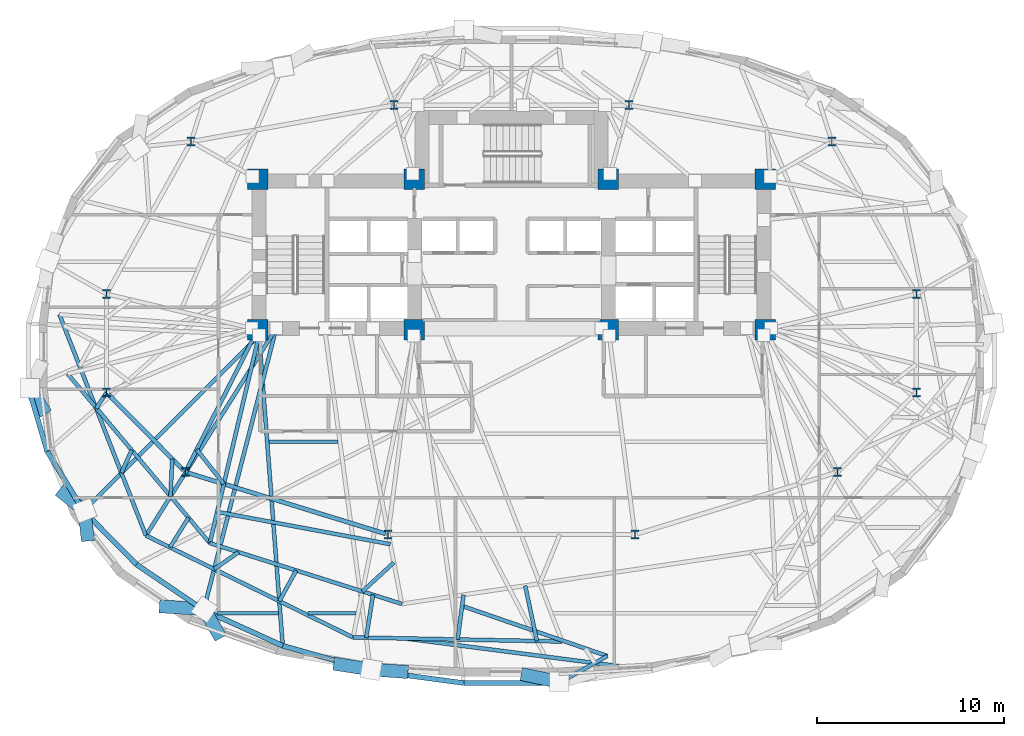
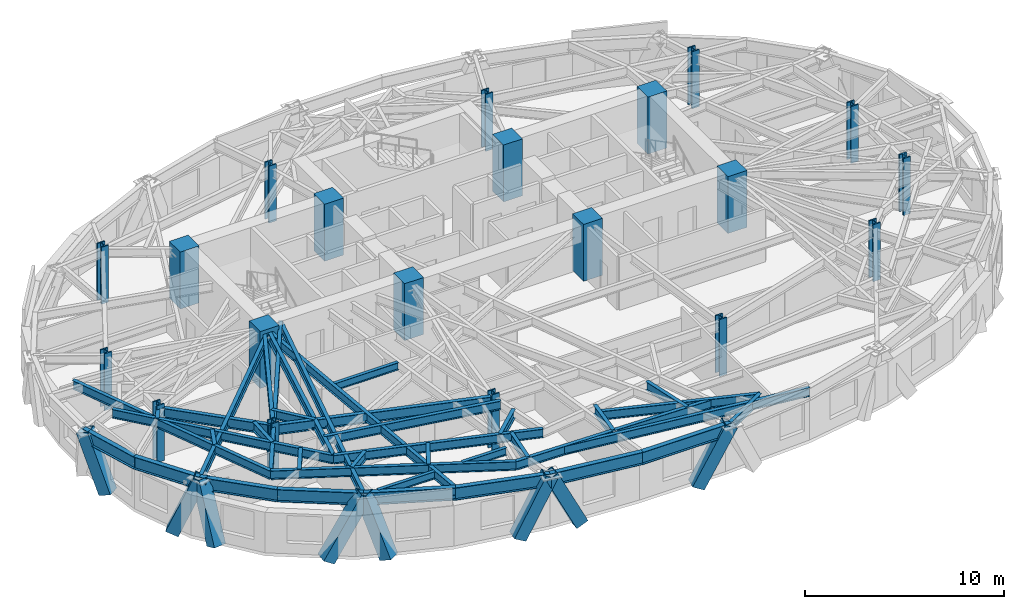
# One storey, part 1 of 13: 39 beams, 20 columns, 8 members.
"""IFC4 building model written with IfcOpenShell, lengths in metres."""

from ifc_helpers import new_model, si_unit, direction, frame, origin, origin_2d, place, context, subcontext, project, spatial, rectangle, hollow_rectangle, i_section, extrude, material, material_profile, profile_set, type_object, element, save


model = new_model("IFC4")

# Units and contexts
model_context = context("Model", 3, precision=1e-05, world=origin(), true_north=direction((0.0, 1.0)))
body_context = subcontext(model_context, "Body", "Model", "MODEL_VIEW")
ifc_project = project(units=[si_unit("LENGTHUNIT", "METRE"), si_unit("AREAUNIT", "SQUARE_METRE"), si_unit("VOLUMEUNIT", "CUBIC_METRE"), si_unit("PLANEANGLEUNIT", "RADIAN"), si_unit("MASSUNIT", "GRAM", prefix="KILO")], contexts=[model_context])

# Site, building, storey
site_placement = place(None, origin())
site = spatial("IfcSite", under=ifc_project, at=site_placement, CompositionType="ELEMENT")
building_placement = place(site_placement, origin())
building = spatial("IfcBuilding", under=site, at=building_placement, Name="Keldmark Tower", CompositionType="ELEMENT")
storey_placement = place(building_placement, frame((0.0, 0.0, 131.60009765625)))
storey = spatial("IfcBuildingStorey", under=building, at=storey_placement, Name="L35", CompositionType="ELEMENT", Elevation=131.60009765625)

# Columns
ifc_material_1 = material(Name="Concrete C70/85", Category="concrete")
ifc_material_profile_1 = material_profile(ifc_material_1, rectangle(XDim=1.10009765625, YDim=1.10009765625, at=origin_2d()), Name="RC1100X1100")
ifc_profile_set_1 = profile_set([ifc_material_profile_1], Name="Concrete C70/85")
column_type_1 = type_object("IfcColumnType", Name="Core Boundary Column RC1100", PredefinedType="COLUMN", material=ifc_profile_set_1)
for number, where, z_axis, x_axis, name in (
    (1, (-13.60009765625, 1.39990234375, 0.0), (0.0, 0.0, 1.0), (1.0, 0.0, 0.0), "L35 Core Boundary Column CC-W1"),
    (2, (-13.60009765625, 9.449951171875, 0.0), (0.0, 0.0, 1.0), (1.0, 0.0, 0.0), "L35 Core Boundary Column CC-W2"),
    (3, (-5.199951171875, 1.39990234375, 0.0), (0.0, 0.0, 1.0), (1.0, 0.0, 0.0), "L35 Core Boundary Column CC-W3"),
    (4, (-5.199951171875, 9.449951171875, 0.0), (0.0, 0.0, 1.0), (1.0, 0.0, 0.0), "L35 Core Boundary Column CC-W4"),
    (5, (5.199951171875, 1.39990234375, 0.0), (0.0, 0.0, 1.0), (1.0, 0.0, 0.0), "L35 Core Boundary Column CC-E1"),
    (6, (5.199951171875, 9.449951171875, 0.0), (0.0, 0.0, 1.0), (1.0, 0.0, 0.0), "L35 Core Boundary Column CC-E2"),
    (7, (13.60009765625, 1.39990234375, 0.0), (0.0, 0.0, 1.0), (1.0, 0.0, 0.0), "L35 Core Boundary Column CC-E3"),
    (8, (13.60009765625, 9.449951171875, 0.0), (0.0, 0.0, 1.0), (1.0, 0.0, 0.0), "L35 Core Boundary Column CC-E4"),
):
    element("IfcColumn", number, at=place(storey_placement, frame(where, z_axis=z_axis, x_axis=x_axis)), inside=storey, type_object=column_type_1, Name=name, PredefinedType="COLUMN", context=body_context, shape_type="SweptSolid", body=[
        extrude(rectangle(XDim=1.10009765625, YDim=1.10009765625, at=origin_2d()), origin(), (0.0, 0.0, 1.0), 3.5),
    ])
ifc_material_2 = material(Name="Steel ASTM A992 Grade 50", Category="steel")
ifc_material_profile_2 = material_profile(ifc_material_2, i_section(OverallWidth=0.424072265625, OverallDepth=0.47412109375, WebThickness=0.047607421875, FlangeThickness=0.0771484375, at=origin_2d()), Name="W14X426")
ifc_profile_set_2 = profile_set([ifc_material_profile_2], Name="Steel ASTM A992 Grade 50")
column_type_2 = type_object("IfcColumnType", Name="Tower Gravity Column W14X426", PredefinedType="COLUMN", material=ifc_profile_set_2)
for number, where, z_axis, x_axis, name in (
    (9, (21.697021484375, 3.309814453125, 0.0), (0.0, 0.0, 1.0), (1.0, 0.0, 0.0), "L35 Tower Gravity Column TC-E1"),
    (10, (17.1669921875, 11.478271484375, 0.0), (0.0, 0.0, 1.0), (1.0, 0.0, 0.0), "L35 Tower Gravity Column TC-E4"),
    (11, (6.298828125, 13.4326171875, 0.0), (0.0, 0.0, 1.0), (1.0, 0.0, 0.0), "L35 Tower Gravity Column TC-N2"),
    (12, (-6.298828125, 13.4326171875, 0.0), (0.0, 0.0, 1.0), (1.0, 0.0, 0.0), "L35 Tower Gravity Column TC-N1"),
    (13, (-17.1669921875, 11.478271484375, 0.0), (0.0, 0.0, 1.0), (1.0, 0.0, 0.0), "L35 Tower Gravity Column TC-W4"),
    (14, (-21.697021484375, 3.309814453125, 0.0), (0.0, 0.0, 1.0), (1.0, 0.0, 0.0), "L35 Tower Gravity Column TC-W1"),
    (15, (-21.697021484375, -1.9658203125, 0.0), (0.0, 0.0, 1.0), (1.0, 0.0, 0.0), "L35 Tower Gravity Column TC-W5"),
    (16, (-17.477294921875, -6.2294921875, 0.0), (0.0, 0.0, 1.0), (1.0, 0.0, 0.0), "L35 Tower Gravity Column TC-W2"),
    (17, (-6.61279296875, -9.579345703125, 0.0), (0.0, 0.0, 1.0), (1.0, 0.0, 0.0), "L35 Tower Gravity Column TC-W3"),
    (18, (6.61279296875, -9.579345703125, 0.0), (0.0, 0.0, 1.0), (1.0, 0.0, 0.0), "L35 Tower Gravity Column TC-E3"),
    (19, (17.477294921875, -6.2294921875, 0.0), (0.0, 0.0, 1.0), (1.0, 0.0, 0.0), "L35 Tower Gravity Column TC-E2"),
    (20, (21.697021484375, -1.9658203125, 0.0), (0.0, 0.0, 1.0), (1.0, 0.0, 0.0), "L35 Tower Gravity Column TC-E5"),
):
    element("IfcColumn", number, at=place(storey_placement, frame(where, z_axis=z_axis, x_axis=x_axis)), inside=storey, type_object=column_type_2, Name=name, PredefinedType="COLUMN", context=body_context, shape_type="SweptSolid", body=[
        extrude(i_section(OverallWidth=0.424072265625, OverallDepth=0.47412109375, WebThickness=0.047607421875, FlangeThickness=0.0771484375, at=origin_2d()), origin(), (0.0, 0.0, 1.0), 3.5),
    ])

# Beams
ifc_material_3 = material(Name="Steel ASTM A992 Grade 50", Category="steel")
ifc_material_profile_3 = material_profile(ifc_material_3, i_section(OverallWidth=0.19091796875, OverallDepth=0.45703125, WebThickness=0.009033203125, FlangeThickness=0.014404296875, at=origin_2d()), Name="W18X50")
ifc_profile_set_3 = profile_set([ifc_material_profile_3], Name="Steel ASTM A992 Grade 50")
beam_type_1 = type_object("IfcBeamType", Name="Composite Floor Joist W18X50", PredefinedType="JOIST", material=ifc_profile_set_3)
beam_1_placement = place(storey_placement, frame((-15.78759765625, -13.800048828125, 3.031494140625), z_axis=(1.0, 0.0, 0.0), x_axis=(0.0, 1.0, 0.0)))
element("IfcBeam", 21, at=beam_1_placement, inside=storey, type_object=beam_type_1, Name="L35 Composite Floor Joist J01", PredefinedType="JOIST", context=body_context, shape_type="SweptSolid", body=[
    extrude(i_section(OverallWidth=0.19091796875, OverallDepth=0.45703125, WebThickness=0.009033203125, FlangeThickness=0.014404296875, at=origin_2d()), origin(), (0.0, 0.0, 1.0), 3.302490234375),
])
beam_2_placement = place(storey_placement, frame((-10.888916015625, -13.800048828125, 3.031494140625), z_axis=(1.0, 0.0, 0.0), x_axis=(0.0, 1.0, 0.0)))
element("IfcBeam", 22, at=beam_2_placement, inside=storey, type_object=beam_type_1, Name="L35 Composite Floor Joist J02", PredefinedType="JOIST", context=body_context, shape_type="SweptSolid", body=[
    extrude(i_section(OverallWidth=0.19091796875, OverallDepth=0.45703125, WebThickness=0.009033203125, FlangeThickness=0.014404296875, at=origin_2d()), origin(), (0.0, 0.0, 1.0), 2.565185546875),
])
beam_3_placement = place(storey_placement, frame((-12.994140625, -4.60009765625, 3.031494140625), z_axis=(1.0, 0.0, 0.0), x_axis=(0.0, 1.0, 0.0)))
element("IfcBeam", 23, at=beam_3_placement, inside=storey, type_object=beam_type_1, Name="L35 Composite Floor Joist J06", PredefinedType="JOIST", context=body_context, shape_type="SweptSolid", body=[
    extrude(i_section(OverallWidth=0.19091796875, OverallDepth=0.45703125, WebThickness=0.009033203125, FlangeThickness=0.014404296875, at=origin_2d()), origin(), (0.0, 0.0, 1.0), 3.70263671875),
])

# Members
ifc_material_4 = material(Name="Steel ASTM A572 Grade 50", Category="steel")
ifc_material_profile_4 = material_profile(ifc_material_4, hollow_rectangle(XDim=0.699951171875, YDim=0.699951171875, WallThickness=0.044921875, at=origin_2d()), Name="BOX700X700X45")
ifc_profile_set_4 = profile_set([ifc_material_profile_4], Name="Steel ASTM A572 Grade 50")
member_type = type_object("IfcMemberType", Name="Diagrid Zone 2 Brace BOX700X700X45", PredefinedType="BRACE", material=ifc_profile_set_4)
member_1_placement = place(storey_placement, frame((-25.12890625, -2.82958984375, -0.27001953125), z_axis=(-0.187989788576, 0.303619224523, 0.934063812537), x_axis=(-0.850221241933, -0.526425531073, 0.0)))
element("IfcMember", 24, at=member_1_placement, inside=storey, type_object=member_type, Name="L35 Perimeter Diagrid Brace 09A", PredefinedType="BRACE", context=body_context, shape_type="SweptSolid", body=[
    extrude(hollow_rectangle(XDim=0.699951171875, YDim=0.699951171875, WallThickness=0.044921875, at=origin_2d()), origin(), (0.0, 0.0, 1.0), 3.650634765625),
])
member_2_placement = place(storey_placement, frame((-23.985107421875, -7.39453125, -0.27001953125), z_axis=(0.300968444386, -0.241857898473, 0.922454742755), x_axis=(0.626404100601, 0.779498494386, 0.0)))
element("IfcMember", 25, at=member_2_placement, inside=storey, type_object=member_type, Name="L35 Perimeter Diagrid Brace 09B", PredefinedType="BRACE", context=body_context, shape_type="SweptSolid", body=[
    extrude(hollow_rectangle(XDim=0.699951171875, YDim=0.699951171875, WallThickness=0.044921875, at=origin_2d()), origin(), (0.0, 0.0, 1.0), 3.696533203125),
])
member_3_placement = place(storey_placement, frame((-22.7333984375, -9.59716796875, -0.27001953125), z_axis=(-0.039298289624, 0.360623523632, 0.931883210835), x_axis=(-0.994114788061, -0.108331842769, 0.0)))
element("IfcMember", 26, at=member_3_placement, inside=storey, type_object=member_type, Name="L35 Perimeter Diagrid Brace 10A", PredefinedType="BRACE", context=body_context, shape_type="SweptSolid", body=[
    extrude(hollow_rectangle(XDim=0.699951171875, YDim=0.699951171875, WallThickness=0.044921875, at=origin_2d()), origin(), (0.0, 0.0, 1.0), 3.6591796875),
])
member_4_placement = place(storey_placement, frame((-18.5673828125, -13.439697265625, -0.27001953125), z_axis=(0.527593267763, -0.035488881407, 0.848755490767), x_axis=(0.067113944412, 0.997745317436, 0.0)))
element("IfcMember", 27, at=member_4_placement, inside=storey, type_object=member_type, Name="L35 Perimeter Diagrid Brace 10B", PredefinedType="BRACE", context=body_context, shape_type="SweptSolid", body=[
    extrude(hollow_rectangle(XDim=0.699951171875, YDim=0.699951171875, WallThickness=0.044921875, at=origin_2d()), origin(), (0.0, 0.0, 1.0), 4.017578125),
])
member_5_placement = place(storey_placement, frame((-15.735107421875, -14.845703125, -0.27001953125), z_axis=(-0.194322168665, 0.342778251466, 0.919098452336), x_axis=(-0.86993382308, -0.49316847371, 0.0)))
element("IfcMember", 28, at=member_5_placement, inside=storey, type_object=member_type, Name="L35 Perimeter Diagrid Brace 11A", PredefinedType="BRACE", context=body_context, shape_type="SweptSolid", body=[
    extrude(hollow_rectangle(XDim=0.699951171875, YDim=0.699951171875, WallThickness=0.044921875, at=origin_2d()), origin(), (0.0, 0.0, 1.0), 3.7099609375),
])
member_6_placement = place(storey_placement, frame((-9.215576171875, -16.54248046875, -0.27001953125), z_axis=(0.444362137961, -0.069637410885, 0.893136563663), x_axis=(0.154823569596, 0.987942135096, 0.0)))
element("IfcMember", 29, at=member_6_placement, inside=storey, type_object=member_type, Name="L35 Perimeter Diagrid Brace 11B", PredefinedType="BRACE", context=body_context, shape_type="SweptSolid", body=[
    extrude(hollow_rectangle(XDim=0.699951171875, YDim=0.699951171875, WallThickness=0.044921875, at=origin_2d()), origin(), (0.0, 0.0, 1.0), 3.81787109375),
])
member_7_placement = place(storey_placement, frame((-5.8515625, -16.926513671875, -0.27001953125), z_axis=(-0.441399698439, 0.032230203435, 0.896731576451), x_axis=(-0.072824302874, -0.997344785373, 0.0)))
element("IfcMember", 30, at=member_7_placement, inside=storey, type_object=member_type, Name="L35 Perimeter Diagrid Brace 12A", PredefinedType="BRACE", context=body_context, shape_type="SweptSolid", body=[
    extrude(hollow_rectangle(XDim=0.699951171875, YDim=0.699951171875, WallThickness=0.044921875, at=origin_2d()), origin(), (0.0, 0.0, 1.0), 3.802490234375),
])
member_8_placement = place(storey_placement, frame((0.83740234375, -17.113525390625, -0.27001953125), z_axis=(0.447684367224, -0.09441352625, 0.889193338597), x_axis=(0.206354089794, 0.978477383298, 0.0)))
element("IfcMember", 31, at=member_8_placement, inside=storey, type_object=member_type, Name="L35 Perimeter Diagrid Brace 12B", PredefinedType="BRACE", context=body_context, shape_type="SweptSolid", body=[
    extrude(hollow_rectangle(XDim=0.699951171875, YDim=0.699951171875, WallThickness=0.044921875, at=origin_2d()), origin(), (0.0, 0.0, 1.0), 3.834716796875),
])

# Beams
ifc_material_5 = material(Name="Steel ASTM A992 Grade 50", Category="steel")
ifc_material_profile_5 = material_profile(ifc_material_5, i_section(OverallWidth=0.22900390625, OverallDepth=0.612060546875, WebThickness=0.011962890625, FlangeThickness=0.01953125, at=origin_2d()), Name="W24X84")
ifc_profile_set_5 = profile_set([ifc_material_profile_5], Name="Steel ASTM A992 Grade 50")
beam_type_2 = type_object("IfcBeamType", Name="Primary Floor Girder W24X84", PredefinedType="BEAM", material=ifc_profile_set_5)
beam_4_placement = place(storey_placement, frame((-21.598388671875, -2.0654296875, 2.953857421875), z_axis=(0.703425791323, -0.71076870788, 0.0), x_axis=(0.71076870788, 0.703425791323, 0.0)))
element("IfcBeam", 32, at=beam_4_placement, inside=storey, type_object=beam_type_2, Name="L35 Floor Ring Girder FG-R07", PredefinedType="BEAM", context=body_context, shape_type="SweptSolid", body=[
    extrude(i_section(OverallWidth=0.22900390625, OverallDepth=0.612060546875, WebThickness=0.011962890625, FlangeThickness=0.01953125, at=origin_2d()), origin(), (0.0, 0.0, 1.0), 5.71875),
])
beam_5_placement = place(storey_placement, frame((-17.343505859375, -6.270751953125, 2.953857421875), z_axis=(0.955607954968, -0.294641199432, 0.0), x_axis=(0.294641199432, 0.955607954968, 0.0)))
element("IfcBeam", 33, at=beam_5_placement, inside=storey, type_object=beam_type_2, Name="L35 Floor Ring Girder FG-R08", PredefinedType="BEAM", context=body_context, shape_type="SweptSolid", body=[
    extrude(i_section(OverallWidth=0.22900390625, OverallDepth=0.612060546875, WebThickness=0.011962890625, FlangeThickness=0.01953125, at=origin_2d()), origin(), (0.0, 0.0, 1.0), 11.089111328125),
])
ifc_material_6 = material(Name="Steel ASTM A992 Grade 50", Category="steel")
ifc_material_profile_6 = material_profile(ifc_material_6, i_section(OverallWidth=0.2099609375, OverallDepth=0.537109375, WebThickness=0.010986328125, FlangeThickness=0.017333984375, at=origin_2d()), Name="W21X68")
ifc_profile_set_6 = profile_set([ifc_material_profile_6], Name="Steel ASTM A992 Grade 50")
beam_type_3 = type_object("IfcBeamType", Name="Radial Tie Girder W21X68", PredefinedType="BEAM", material=ifc_profile_set_6)
beam_6_placement = place(storey_placement, frame((-17.413818359375, -6.104736328125, 2.991455078125), z_axis=(0.453028637759, 0.891495963743, 0.0), x_axis=(-0.891495963743, 0.453028637759, 0.0)))
element("IfcBeam", 34, at=beam_6_placement, inside=storey, type_object=beam_type_3, Name="L35 Floor Radial Girder FG-C08", PredefinedType="BEAM", context=body_context, shape_type="SweptSolid", body=[
    extrude(i_section(OverallWidth=0.2099609375, OverallDepth=0.537109375, WebThickness=0.010986328125, FlangeThickness=0.017333984375, at=origin_2d()), origin(), (0.0, 0.0, 1.0), 8.09814453125),
])
beam_7_placement = place(storey_placement, frame((-16.863525390625, -5.02197265625, 2.991455078125), z_axis=(0.618317676543, -0.785928273365, 0.0), x_axis=(0.785928273365, 0.618317676543, 0.0)))
element("IfcBeam", 35, at=beam_7_placement, inside=storey, type_object=beam_type_3, Name="L35 Framing Pin Header PH-004", PredefinedType="BEAM", context=body_context, shape_type="SweptSolid", body=[
    extrude(i_section(OverallWidth=0.2099609375, OverallDepth=0.537109375, WebThickness=0.010986328125, FlangeThickness=0.017333984375, at=origin_2d()), origin(), (0.0, 0.0, 1.0), 2.3466796875),
])
beam_8_placement = place(storey_placement, frame((-13.52490234375, 1.10009765625, 2.991455078125), z_axis=(-0.230570573117, -0.973055605201, 0.0), x_axis=(0.973055605201, -0.230570573117, 0.0)))
element("IfcBeam", 36, at=beam_8_placement, inside=storey, type_object=beam_type_3, Name="L35 Sub-Ring Step Girder STP1-M08", PredefinedType="BEAM", context=body_context, shape_type="SweptSolid", body=[
    extrude(i_section(OverallWidth=0.2099609375, OverallDepth=0.537109375, WebThickness=0.010986328125, FlangeThickness=0.017333984375, at=origin_2d()), origin(), (0.0, 0.0, 1.0), 11.444091796875),
])
beam_9_placement = place(storey_placement, frame((-15.767578125, -8.365234375, 2.991455078125), z_axis=(0.983037540128, -0.183404456595, 0.0), x_axis=(0.183404456595, 0.983037540128, 0.0)))
element("IfcBeam", 37, at=beam_9_placement, inside=storey, type_object=beam_type_3, Name="L35 Framing Pin Header PH-005", PredefinedType="BEAM", context=body_context, shape_type="SweptSolid", body=[
    extrude(i_section(OverallWidth=0.2099609375, OverallDepth=0.537109375, WebThickness=0.010986328125, FlangeThickness=0.017333984375, at=origin_2d()), origin(), (0.0, 0.0, 1.0), 9.43798828125),
])
beam_10_placement = place(storey_placement, frame((-23.77490234375, -0.970458984375, 2.991455078125), z_axis=(0.643022287084, -0.76584746413, 0.0), x_axis=(0.76584746413, 0.643022287084, 0.0)))
element("IfcBeam", 38, at=beam_10_placement, inside=storey, type_object=beam_type_3, Name="L35 Perimeter Collector Ring Beam CRG1-M07", PredefinedType="BEAM", context=body_context, shape_type="SweptSolid", body=[
    extrude(i_section(OverallWidth=0.2099609375, OverallDepth=0.537109375, WebThickness=0.010986328125, FlangeThickness=0.017333984375, at=origin_2d()), origin(), (0.0, 0.0, 1.0), 11.8369140625),
])
beam_11_placement = place(storey_placement, frame((-16.16357421875, -10.03564453125, 2.991455078125), z_axis=(0.953322474323, -0.301954069272, 0.0), x_axis=(0.301954069272, 0.953322474323, 0.0)))
element("IfcBeam", 39, at=beam_11_placement, inside=storey, type_object=beam_type_3, Name="L35 Perimeter Collector Ring Beam CRG1-M08", PredefinedType="BEAM", context=body_context, shape_type="SweptSolid", body=[
    extrude(i_section(OverallWidth=0.2099609375, OverallDepth=0.537109375, WebThickness=0.010986328125, FlangeThickness=0.017333984375, at=origin_2d()), origin(), (0.0, 0.0, 1.0), 10.792236328125),
])
beam_12_placement = place(storey_placement, frame((-18.17919921875, -5.5205078125, 2.991455078125), z_axis=(-0.043690020489, -0.999045135171, 0.0), x_axis=(0.999045135171, -0.043690020489, 0.0)))
element("IfcBeam", 40, at=beam_12_placement, inside=storey, type_object=beam_type_3, Name="L35 Framing Pin Header PH-010", PredefinedType="BEAM", context=body_context, shape_type="SweptSolid", body=[
    extrude(i_section(OverallWidth=0.2099609375, OverallDepth=0.537109375, WebThickness=0.010986328125, FlangeThickness=0.017333984375, at=origin_2d()), origin(), (0.0, 0.0, 1.0), 2.01171875),
])
beam_13_placement = place(storey_placement, frame((-12.603515625, 1.47509765625, 2.991455078125), z_axis=(-0.532378857369, -0.8465062033, 0.0), x_axis=(0.8465062033, -0.532378857369, 0.0)))
element("IfcBeam", 41, at=beam_13_placement, inside=storey, type_object=beam_type_3, Name="L35 Sub-Ring Step Girder STP2-M08", PredefinedType="BEAM", context=body_context, shape_type="SweptSolid", body=[
    extrude(i_section(OverallWidth=0.2099609375, OverallDepth=0.537109375, WebThickness=0.010986328125, FlangeThickness=0.017333984375, at=origin_2d()), origin(), (0.0, 0.0, 1.0), 13.119140625),
])
beam_14_placement = place(storey_placement, frame((-6.30078125, -11.0791015625, 2.991455078125), z_axis=(-0.737016816791, -0.675874405321, 0.0), x_axis=(0.675874405321, -0.737016816791, 0.0)))
element("IfcBeam", 42, at=beam_14_placement, inside=storey, type_object=beam_type_3, Name="L35 Framing Pin Header PH-011", PredefinedType="BEAM", context=body_context, shape_type="SweptSolid", body=[
    extrude(i_section(OverallWidth=0.2099609375, OverallDepth=0.537109375, WebThickness=0.010986328125, FlangeThickness=0.017333984375, at=origin_2d()), origin(), (0.0, 0.0, 1.0), 2.2880859375),
])
beam_15_placement = place(storey_placement, frame((-24.221435546875, 2.211181640625, 2.991455078125), z_axis=(0.364392109318, -0.931245612428, 0.0), x_axis=(0.931245612428, 0.364392109318, 0.0)))
element("IfcBeam", 43, at=beam_15_placement, inside=storey, type_object=beam_type_3, Name="L35 Perimeter Collector Ring Beam CRG2-M07", PredefinedType="BEAM", context=body_context, shape_type="SweptSolid", body=[
    extrude(i_section(OverallWidth=0.2099609375, OverallDepth=0.537109375, WebThickness=0.010986328125, FlangeThickness=0.017333984375, at=origin_2d()), origin(), (0.0, 0.0, 1.0), 12.7158203125),
])
beam_16_placement = place(storey_placement, frame((-19.587890625, -9.63037109375, 2.991455078125), z_axis=(0.897289995685, -0.44144157444, 0.0), x_axis=(0.44144157444, 0.897289995685, 0.0)))
element("IfcBeam", 44, at=beam_16_placement, inside=storey, type_object=beam_type_3, Name="L35 Perimeter Collector Ring Beam CRG2-M08", PredefinedType="BEAM", context=body_context, shape_type="SweptSolid", body=[
    extrude(i_section(OverallWidth=0.2099609375, OverallDepth=0.537109375, WebThickness=0.010986328125, FlangeThickness=0.017333984375, at=origin_2d()), origin(), (0.0, 0.0, 1.0), 12.37060546875),
])
beam_17_placement = place(storey_placement, frame((-8.48779296875, -15.09130859375, 2.991455078125), z_axis=(0.999810250803, -0.01947979436, 0.0), x_axis=(0.01947979436, 0.999810250803, 0.0)))
element("IfcBeam", 45, at=beam_17_placement, inside=storey, type_object=beam_type_3, Name="L35 Perimeter Collector Ring Beam CRG2-M09", PredefinedType="BEAM", context=body_context, shape_type="SweptSolid", body=[
    extrude(i_section(OverallWidth=0.2099609375, OverallDepth=0.537109375, WebThickness=0.010986328125, FlangeThickness=0.017333984375, at=origin_2d()), origin(), (0.0, 0.0, 1.0), 11.20458984375),
])
beam_18_placement = place(storey_placement, frame((-21.697021484375, -1.9658203125, 2.991455078125), z_axis=(-0.546041092765, -0.837758392982, 0.0), x_axis=(0.837758392982, -0.546041092765, 0.0)))
element("IfcBeam", 46, at=beam_18_placement, inside=storey, type_object=beam_type_3, Name="L35 Framing Pin Header PH-023", PredefinedType="BEAM", context=body_context, shape_type="SweptSolid", body=[
    extrude(i_section(OverallWidth=0.2099609375, OverallDepth=0.537109375, WebThickness=0.010986328125, FlangeThickness=0.017333984375, at=origin_2d()), origin(), (0.0, 0.0, 1.0), 1.0185546875),
])
beam_19_placement = place(storey_placement, frame((-20.349609375, -5.0498046875, 2.991455078125), z_axis=(-0.409707610568, -0.912216900656, 0.0), x_axis=(0.912216900656, -0.409707610568, 0.0)))
element("IfcBeam", 47, at=beam_19_placement, inside=storey, type_object=beam_type_3, Name="L35 Framing Pin Header PH-024", PredefinedType="BEAM", context=body_context, shape_type="SweptSolid", body=[
    extrude(i_section(OverallWidth=0.2099609375, OverallDepth=0.537109375, WebThickness=0.010986328125, FlangeThickness=0.017333984375, at=origin_2d()), origin(), (0.0, 0.0, 1.0), 1.34423828125),
])
beam_20_placement = place(storey_placement, frame((-13.52490234375, 1.10009765625, 2.991455078125), z_axis=(-0.707070071251, -0.707143489216, 0.0), x_axis=(0.707143489216, -0.707070071251, 0.0)))
element("IfcBeam", 48, at=beam_20_placement, inside=storey, type_object=beam_type_3, Name="L35 Perimeter Radial Tie Girder RT-19", PredefinedType="BEAM", context=body_context, shape_type="SweptSolid", body=[
    extrude(i_section(OverallWidth=0.2099609375, OverallDepth=0.537109375, WebThickness=0.010986328125, FlangeThickness=0.017333984375, at=origin_2d()), origin(), (0.0, 0.0, 1.0), 13.301513671875),
])
beam_21_placement = place(storey_placement, frame((-17.30517578125, -8.67578125, 2.991455078125), z_axis=(-0.530385344773, -0.847756678564, 0.0), x_axis=(0.847756678564, -0.530385344773, 0.0)))
element("IfcBeam", 49, at=beam_21_placement, inside=storey, type_object=beam_type_3, Name="L35 Framing Pin Header PH-025", PredefinedType="BEAM", context=body_context, shape_type="SweptSolid", body=[
    extrude(i_section(OverallWidth=0.2099609375, OverallDepth=0.537109375, WebThickness=0.010986328125, FlangeThickness=0.017333984375, at=origin_2d()), origin(), (0.0, 0.0, 1.0), 1.8740234375),
])
beam_22_placement = place(storey_placement, frame((-14.6201171875, -10.5244140625, 2.991455078125), z_axis=(-0.822446019353, -0.568843164019, 0.0), x_axis=(0.568843164019, -0.822446019353, 0.0)))
element("IfcBeam", 50, at=beam_22_placement, inside=storey, type_object=beam_type_3, Name="L35 Framing Pin Header PH-026", PredefinedType="BEAM", context=body_context, shape_type="SweptSolid", body=[
    extrude(i_section(OverallWidth=0.2099609375, OverallDepth=0.537109375, WebThickness=0.010986328125, FlangeThickness=0.017333984375, at=origin_2d()), origin(), (0.0, 0.0, 1.0), 1.59228515625),
])
beam_23_placement = place(storey_placement, frame((-12.603515625, 1.47509765625, 2.991455078125), z_axis=(-0.249578654487, -0.968354529718, 0.0), x_axis=(0.968354529718, -0.249578654487, 0.0)))
element("IfcBeam", 51, at=beam_23_placement, inside=storey, type_object=beam_type_3, Name="L35 Perimeter Radial Tie Girder RT-21", PredefinedType="BEAM", context=body_context, shape_type="SweptSolid", body=[
    extrude(i_section(OverallWidth=0.2099609375, OverallDepth=0.537109375, WebThickness=0.010986328125, FlangeThickness=0.017333984375, at=origin_2d()), origin(), (0.0, 0.0, 1.0), 15.5888671875),
])
beam_24_placement = place(storey_placement, frame((-11.53369140625, -11.502197265625, 2.991455078125), z_axis=(-0.481918749772, -0.876215908677, 0.0), x_axis=(0.876215908677, -0.481918749772, 0.0)))
element("IfcBeam", 52, at=beam_24_placement, inside=storey, type_object=beam_type_3, Name="L35 Framing Pin Header PH-027", PredefinedType="BEAM", context=body_context, shape_type="SweptSolid", body=[
    extrude(i_section(OverallWidth=0.2099609375, OverallDepth=0.537109375, WebThickness=0.010986328125, FlangeThickness=0.017333984375, at=origin_2d()), origin(), (0.0, 0.0, 1.0), 1.8779296875),
])
beam_25_placement = place(storey_placement, frame((-13.52490234375, 1.10009765625, 2.991455078125), z_axis=(0.076016282809, -0.997106576424, 0.0), x_axis=(0.997106576424, 0.076016282809, 0.0)))
element("IfcBeam", 53, at=beam_25_placement, inside=storey, type_object=beam_type_3, Name="L35 Perimeter Radial Tie Girder RT-22", PredefinedType="BEAM", context=body_context, shape_type="SweptSolid", body=[
    extrude(i_section(OverallWidth=0.2099609375, OverallDepth=0.537109375, WebThickness=0.010986328125, FlangeThickness=0.017333984375, at=origin_2d()), origin(), (0.0, 0.0, 1.0), 16.68798828125),
])
beam_26_placement = place(storey_placement, frame((-7.418212890625, -12.8056640625, 2.991455078125), z_axis=(-0.156775662406, -0.987634239826, 0.0), x_axis=(0.987634239826, -0.156775662406, 0.0)))
element("IfcBeam", 54, at=beam_26_placement, inside=storey, type_object=beam_type_3, Name="L35 Framing Pin Header PH-028", PredefinedType="BEAM", context=body_context, shape_type="SweptSolid", body=[
    extrude(i_section(OverallWidth=0.2099609375, OverallDepth=0.537109375, WebThickness=0.010986328125, FlangeThickness=0.017333984375, at=origin_2d()), origin(), (0.0, 0.0, 1.0), 2.328125),
])
beam_27_placement = place(storey_placement, frame((-2.569091796875, -12.8056640625, 2.991455078125), z_axis=(-0.128984813666, -0.991646569017, 0.0), x_axis=(0.991646569017, -0.128984813666, 0.0)))
element("IfcBeam", 55, at=beam_27_placement, inside=storey, type_object=beam_type_3, Name="L35 Framing Pin Header PH-029", PredefinedType="BEAM", context=body_context, shape_type="SweptSolid", body=[
    extrude(i_section(OverallWidth=0.2099609375, OverallDepth=0.537109375, WebThickness=0.010986328125, FlangeThickness=0.017333984375, at=origin_2d()), origin(), (0.0, 0.0, 1.0), 2.415283203125),
])
beam_28_placement = place(storey_placement, frame((0.736572265625, -12.31689453125, 2.991455078125), z_axis=(0.208160075731, -0.978094771927, 0.0), x_axis=(0.978094771927, 0.208160075731, 0.0)))
element("IfcBeam", 56, at=beam_28_placement, inside=storey, type_object=beam_type_3, Name="L35 Framing Pin Header PH-030", PredefinedType="BEAM", context=body_context, shape_type="SweptSolid", body=[
    extrude(i_section(OverallWidth=0.2099609375, OverallDepth=0.537109375, WebThickness=0.010986328125, FlangeThickness=0.017333984375, at=origin_2d()), origin(), (0.0, 0.0, 1.0), 3.032958984375),
])
beam_29_placement = place(storey_placement, frame((-2.64697265625, -13.404296875, 2.991455078125), z_axis=(0.945408295669, -0.325888254592, 0.0), x_axis=(0.325888254592, 0.945408295669, 0.0)))
element("IfcBeam", 57, at=beam_29_placement, inside=storey, type_object=beam_type_3, Name="L35 Intermediate Radial Step Girder RT-26M", PredefinedType="BEAM", context=body_context, shape_type="SweptSolid", body=[
    extrude(i_section(OverallWidth=0.2099609375, OverallDepth=0.537109375, WebThickness=0.010986328125, FlangeThickness=0.017333984375, at=origin_2d()), origin(), (0.0, 0.0, 1.0), 8.227294921875),
])
beam_30_placement = place(storey_placement, frame((2.54833984375, -17.53515625, 2.991455078125), z_axis=(0.872022055643, 0.489466581568, 0.0), x_axis=(-0.489466581568, 0.872022055643, 0.0)))
element("IfcBeam", 58, at=beam_30_placement, inside=storey, type_object=beam_type_3, Name="L35 Local Collector Chord RT-26C", PredefinedType="BEAM", context=body_context, shape_type="SweptSolid", body=[
    extrude(i_section(OverallWidth=0.2099609375, OverallDepth=0.537109375, WebThickness=0.010986328125, FlangeThickness=0.017333984375, at=origin_2d()), origin(), (0.0, 0.0, 1.0), 2.9619140625),
])
beam_31_placement = place(storey_placement, frame((-5.687255859375, -15.14599609375, 2.991455078125), z_axis=(0.991705054685, -0.128534370939, 0.0), x_axis=(0.128534370939, 0.991705054685, 0.0)))
element("IfcBeam", 59, at=beam_31_placement, inside=storey, type_object=beam_type_3, Name="L35 Perimeter Radial Tie Girder RT-26", PredefinedType="BEAM", context=body_context, shape_type="SweptSolid", body=[
    extrude(i_section(OverallWidth=0.2099609375, OverallDepth=0.537109375, WebThickness=0.010986328125, FlangeThickness=0.017333984375, at=origin_2d()), origin(), (0.0, 0.0, 1.0), 13.34521484375),
])
ifc_material_7 = material(Name="Steel ASTM A992 Grade 50", Category="steel")
ifc_material_profile_7 = material_profile(ifc_material_7, i_section(OverallWidth=0.26806640625, OverallDepth=0.77001953125, WebThickness=0.015625, FlangeThickness=0.025390625, at=origin_2d()), Name="W30X132")
ifc_profile_set_7 = profile_set([ifc_material_profile_7], Name="Steel ASTM A992 Grade 50")
beam_type_4 = type_object("IfcBeamType", Name="Spandrel Ring Beam W30X132", PredefinedType="SPANDREL", material=ifc_profile_set_7)
beam_32_placement = place(storey_placement, frame((-25.874755859375, -1.72705078125, 2.875), z_axis=(0.281645899487, -0.959518414259, 0.0), x_axis=(0.959518414259, 0.281645899487, 0.0)))
element("IfcBeam", 60, at=beam_32_placement, inside=storey, type_object=beam_type_4, Name="L35 Perimeter Spandrel Ring Beam SRB-17", PredefinedType="SPANDREL", context=body_context, shape_type="SweptSolid", body=[
    extrude(i_section(OverallWidth=0.26806640625, OverallDepth=0.77001953125, WebThickness=0.015625, FlangeThickness=0.025390625, at=origin_2d()), origin(), (0.0, 0.0, 1.0), 3.530517578125),
])
beam_33_placement = place(storey_placement, frame((-24.88037109375, -5.11474609375, 2.875), z_axis=(0.521505457928, -0.853247945999, 0.0), x_axis=(0.853247945999, 0.521505457928, 0.0)))
element("IfcBeam", 61, at=beam_33_placement, inside=storey, type_object=beam_type_4, Name="L35 Perimeter Spandrel Ring Beam SRB-18", PredefinedType="SPANDREL", context=body_context, shape_type="SweptSolid", body=[
    extrude(i_section(OverallWidth=0.26806640625, OverallDepth=0.77001953125, WebThickness=0.015625, FlangeThickness=0.025390625, at=origin_2d()), origin(), (0.0, 0.0, 1.0), 3.739990234375),
])
beam_34_placement = place(storey_placement, frame((-22.929931640625, -8.305908203125, 2.875), z_axis=(0.702064671311, -0.712113191352, 0.0), x_axis=(0.712113191352, 0.702064671311, 0.0)))
element("IfcBeam", 62, at=beam_34_placement, inside=storey, type_object=beam_type_4, Name="L35 Perimeter Spandrel Ring Beam SRB-19", PredefinedType="SPANDREL", context=body_context, shape_type="SweptSolid", body=[
    extrude(i_section(OverallWidth=0.26806640625, OverallDepth=0.77001953125, WebThickness=0.015625, FlangeThickness=0.025390625, at=origin_2d()), origin(), (0.0, 0.0, 1.0), 4.033203125),
])
beam_35_placement = place(storey_placement, frame((-20.098388671875, -11.177978515625, 2.875), z_axis=(0.827833848723, -0.560973367379, 0.0), x_axis=(0.560973367379, 0.827833848723, 0.0)))
element("IfcBeam", 63, at=beam_35_placement, inside=storey, type_object=beam_type_4, Name="L35 Perimeter Spandrel Ring Beam SRB-20", PredefinedType="SPANDREL", context=body_context, shape_type="SweptSolid", body=[
    extrude(i_section(OverallWidth=0.26806640625, OverallDepth=0.77001953125, WebThickness=0.015625, FlangeThickness=0.025390625, at=origin_2d()), origin(), (0.0, 0.0, 1.0), 4.353759765625),
])
beam_36_placement = place(storey_placement, frame((-16.494140625, -13.620361328125, 2.875), z_axis=(0.910938924115, -0.412541242221, 0.0), x_axis=(0.412541242221, 0.910938924115, 0.0)))
element("IfcBeam", 64, at=beam_36_placement, inside=storey, type_object=beam_type_4, Name="L35 Perimeter Spandrel Ring Beam SRB-21", PredefinedType="SPANDREL", context=body_context, shape_type="SweptSolid", body=[
    extrude(i_section(OverallWidth=0.26806640625, OverallDepth=0.77001953125, WebThickness=0.015625, FlangeThickness=0.025390625, at=origin_2d()), origin(), (0.0, 0.0, 1.0), 4.652099609375),
])
beam_37_placement = place(storey_placement, frame((-12.25634765625, -15.53955078125, 2.875), z_axis=(0.962790668442, -0.270248272446, 0.0), x_axis=(0.270248272446, 0.962790668442, 0.0)))
element("IfcBeam", 65, at=beam_37_placement, inside=storey, type_object=beam_type_4, Name="L35 Perimeter Spandrel Ring Beam SRB-22", PredefinedType="SPANDREL", context=body_context, shape_type="SweptSolid", body=[
    extrude(i_section(OverallWidth=0.26806640625, OverallDepth=0.77001953125, WebThickness=0.015625, FlangeThickness=0.025390625, at=origin_2d()), origin(), (0.0, 0.0, 1.0), 4.890869140625),
])
beam_38_placement = place(storey_placement, frame((-7.54736328125, -16.861328125, 2.875), z_axis=(0.99103751038, -0.133583880086, 0.0), x_axis=(0.133583880086, 0.99103751038, 0.0)))
element("IfcBeam", 66, at=beam_38_placement, inside=storey, type_object=beam_type_4, Name="L35 Perimeter Spandrel Ring Beam SRB-23", PredefinedType="SPANDREL", context=body_context, shape_type="SweptSolid", body=[
    extrude(i_section(OverallWidth=0.26806640625, OverallDepth=0.77001953125, WebThickness=0.015625, FlangeThickness=0.025390625, at=origin_2d()), origin(), (0.0, 0.0, 1.0), 5.044189453125),
])
beam_39_placement = place(storey_placement, frame((-2.54833984375, -17.53515625, 2.875), z_axis=(1.0, 0.0, 0.0), x_axis=(0.0, 1.0, 0.0)))
element("IfcBeam", 67, at=beam_39_placement, inside=storey, type_object=beam_type_4, Name="L35 Perimeter Spandrel Ring Beam SRB-24", PredefinedType="SPANDREL", context=body_context, shape_type="SweptSolid", body=[
    extrude(i_section(OverallWidth=0.26806640625, OverallDepth=0.77001953125, WebThickness=0.015625, FlangeThickness=0.025390625, at=origin_2d()), origin(), (0.0, 0.0, 1.0), 5.0966796875),
])

save(model, "model.ifc")
